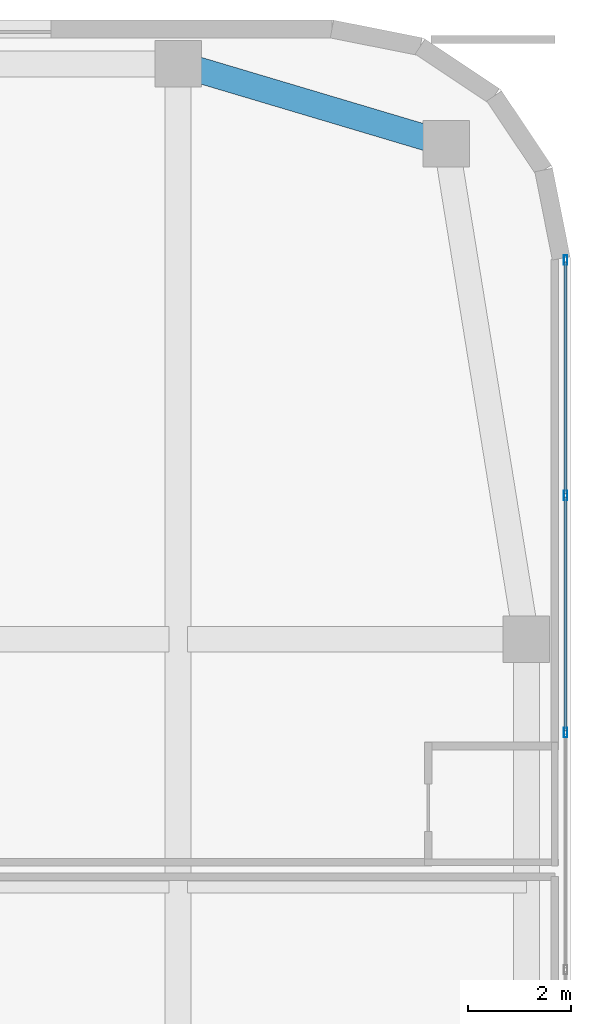
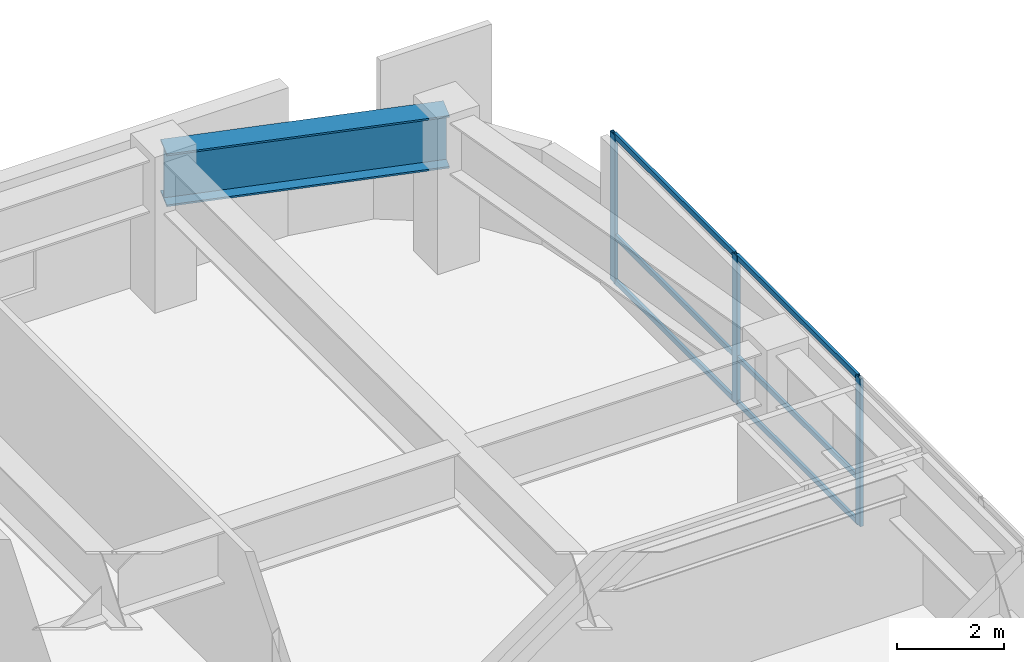
# One storey, part 14 of 25: 9 members, 1 beam, 1 element without a shape of its own.
"""IFC4 building model written with IfcOpenShell, lengths in metres."""

from ifc_helpers import new_model, si_unit, direction, frame, origin, origin_2d, place, context, subcontext, project, spatial, hollow_rectangle, i_section, extrude, source, transform, mapped, material, layer, layer_set, material_profile, profile_set, type_object, type_shapes, element, aggregate, save


model = new_model("IFC4")

# Units and contexts
model_context = context("Model", 3, precision=1e-05, world=origin(), true_north=direction((0.0, 1.0)))
body_context = subcontext(model_context, "Body", "Model", "MODEL_VIEW")
ifc_project = project(units=[si_unit("LENGTHUNIT", "METRE"), si_unit("AREAUNIT", "SQUARE_METRE"), si_unit("VOLUMEUNIT", "CUBIC_METRE"), si_unit("PLANEANGLEUNIT", "RADIAN"), si_unit("MASSUNIT", "GRAM", prefix="KILO")], contexts=[model_context])

# Site, building, storey
site_placement = place(None, origin())
site = spatial("IfcSite", under=ifc_project, at=site_placement, CompositionType="ELEMENT")
building_placement = place(site_placement, origin())
building = spatial("IfcBuilding", under=site, at=building_placement, Name="Tolvann Quenvar Hotel", CompositionType="ELEMENT")
storey_placement = place(building_placement, frame((0.0, 0.0, 78.14990234375)))
storey = spatial("IfcBuildingStorey", under=building, at=storey_placement, Name="L19", CompositionType="ELEMENT", Elevation=78.14990234375)

# Beam
ifc_material_1 = material(Name="Steel Grade 350", Category="steel")
ifc_material_profile_1 = material_profile(ifc_material_1, i_section(OverallWidth=0.5, OverallDepth=1.199951171875, WebThickness=0.01611328125, FlangeThickness=0.0400390625, at=origin_2d()), Name="1200WB455")
ifc_profile_set_1 = profile_set([ifc_material_profile_1], Name="Steel Grade 350")
beam_type = type_object("IfcBeamType", Name="BM_TG_1200WB455", PredefinedType="USERDEFINED", material=ifc_profile_set_1)
shared_shape_1 = source(origin(), body_context, "Body", "SweptSolid", [
    extrude(i_section(OverallWidth=0.5, OverallDepth=1.199951171875, WebThickness=0.01611328125, FlangeThickness=0.0400390625, at=origin_2d()), origin(), (0.0, 0.0, 1.0), 5.42626953125),
])
type_shapes(beam_type, [shared_shape_1])
beam_placement = place(storey_placement, frame((54.60009765625, 43.60009765625, 2.77001953125), z_axis=(-0.958344815522, 0.285613750654, 0.0), x_axis=(-0.285613750654, -0.958344815522, 0.0)))
element("IfcBeam", 1, at=beam_placement, inside=storey, type_object=beam_type, Name="BM-L19-FLK-E3", ObjectType="TRANSFER GIRDER", PredefinedType="USERDEFINED", context=body_context, shape_type="MappedRepresentation", body=[
    mapped(shared_shape_1, transform((0.0, 0.0, 0.0), x_axis=(1.0, 0.0, 0.0), y_axis=(0.0, 1.0, 0.0), z_axis=(0.0, 0.0, 1.0), scale=1.0)),
])

# Curtain wall, members
ifc_material_2 = material(Name="Thermally broken anodised architectural aluminium 6063-T6 and laminated low-E glass", Category="aluminium")
ifc_layer = layer(ifc_material_2, 0.179931640625)
ifc_layer_set = layer_set([ifc_layer], Name="Thermally broken anodised architectural aluminium 6063-T6 and laminated low-E glass")
curtain_wall_type = type_object("IfcCurtainWallType", Name="CW_SYS_BAND_04", PredefinedType="USERDEFINED", material=ifc_layer_set)
curtain_wall_placement = place(storey_placement, origin())
curtain_wall = element("IfcCurtainWall", 2, at=curtain_wall_placement, inside=storey, type_object=curtain_wall_type, Name="Curtain Wall CW-BAND-04 (CWR-L19-E13)", ObjectType="UNITISED CURTAIN WALL", PredefinedType="USERDEFINED")
ifc_material_3 = material(Name="Anodised architectural aluminium 6063-T6 framing", Category="aluminium")
ifc_material_profile_2 = material_profile(ifc_material_3, hollow_rectangle(XDim=0.070068359375, YDim=0.179931640625, WallThickness=0.00390625, at=origin_2d()), Name="180x70x4RHS")
ifc_profile_set_2 = profile_set([ifc_material_profile_2], Name="Anodised architectural aluminium 6063-T6 framing")
member_type_1 = type_object("IfcMemberType", Name="CW_MULL_180x70", PredefinedType="MULLION", material=ifc_profile_set_2)
shared_shape_2 = source(origin(), body_context, "Body", "SweptSolid", [
    extrude(hollow_rectangle(XDim=0.070068359375, YDim=0.179931640625, WallThickness=0.00390625, at=origin_2d()), origin(), (0.0, 0.0, 1.0), 3.3701171875),
])
type_shapes(member_type_1, [shared_shape_2])
member_1_placement = place(storey_placement, frame((56.909912109375, 32.19140625, 0.0), z_axis=(0.0, 0.0, 1.0), x_axis=(-1.0, 0.0, 0.0)))
member_1 = element("IfcMember", 3, at=member_1_placement, type_object=member_type_1, Name="CW-BAND-04 mullion 7", PredefinedType="MULLION", context=body_context, shape_type="MappedRepresentation", body=[
    mapped(shared_shape_2, transform((0.0, 0.0, 0.0), x_axis=(1.0, 0.0, 0.0), y_axis=(0.0, 1.0, 0.0), z_axis=(0.0, 0.0, 1.0), scale=1.0)),
])
member_2_placement = place(storey_placement, frame((56.909912109375, 36.787109375, 0.0), z_axis=(0.0, 0.0, 1.0), x_axis=(-1.0, 0.0, 0.0)))
member_2 = element("IfcMember", 4, at=member_2_placement, type_object=member_type_1, Name="CW-BAND-04 mullion 8", PredefinedType="MULLION", context=body_context, shape_type="MappedRepresentation", body=[
    mapped(shared_shape_2, transform((0.0, 0.0, 0.0), x_axis=(1.0, 0.0, 0.0), y_axis=(0.0, 1.0, 0.0), z_axis=(0.0, 0.0, 1.0), scale=1.0)),
])
member_3_placement = place(storey_placement, frame((56.909912109375, 41.347900390625, 0.0), z_axis=(0.0, 0.0, 1.0), x_axis=(-1.0, 0.0, 0.0)))
member_3 = element("IfcMember", 5, at=member_3_placement, type_object=member_type_1, Name="CW-BAND-04 mullion 9", PredefinedType="MULLION", context=body_context, shape_type="MappedRepresentation", body=[
    mapped(shared_shape_2, transform((0.0, 0.0, 0.0), x_axis=(1.0, 0.0, 0.0), y_axis=(0.0, 1.0, 0.0), z_axis=(0.0, 0.0, 1.0), scale=1.0)),
])
ifc_material_profile_3 = material_profile(ifc_material_3, hollow_rectangle(XDim=0.06005859375, YDim=0.1201171875, WallThickness=0.00341796875, at=origin_2d()), Name="120x60x3.5RHS")
ifc_profile_set_3 = profile_set([ifc_material_profile_3], Name="Anodised architectural aluminium 6063-T6 framing")
member_type_2 = type_object("IfcMemberType", Name="CW_TRAN_120x60", PredefinedType="USERDEFINED", material=ifc_profile_set_3)
shared_shape_3 = source(origin(), body_context, "Body", "SweptSolid", [
    extrude(hollow_rectangle(XDim=0.06005859375, YDim=0.1201171875, WallThickness=0.00341796875, at=origin_2d()), origin(), (0.0, 0.0, 1.0), 4.49072265625),
])
member_4_placement = place(storey_placement, frame((56.909912109375, 36.822021484375, 0.030029296875), z_axis=(0.0, 1.0, 0.0), x_axis=(-1.0, 0.0, 0.0)))
member_4 = element("IfcMember", 6, at=member_4_placement, type_object=member_type_2, Name="CW-BAND-04 transom 8.1", ObjectType="TRANSOM", PredefinedType="USERDEFINED", context=body_context, shape_type="MappedRepresentation", body=[
    mapped(shared_shape_3, transform((0.0, 0.0, 0.0), x_axis=(1.0, 0.0, 0.0), y_axis=(0.0, 1.0, 0.0), z_axis=(0.0, 0.0, 1.0), scale=1.0)),
])
member_5_placement = place(storey_placement, frame((56.909912109375, 36.822021484375, 1.050048828125), z_axis=(0.0, 1.0, 0.0), x_axis=(-1.0, 0.0, 0.0)))
member_5 = element("IfcMember", 7, at=member_5_placement, type_object=member_type_2, Name="CW-BAND-04 transom 8.2", ObjectType="TRANSOM", PredefinedType="USERDEFINED", context=body_context, shape_type="MappedRepresentation", body=[
    mapped(shared_shape_3, transform((0.0, 0.0, 0.0), x_axis=(1.0, 0.0, 0.0), y_axis=(0.0, 1.0, 0.0), z_axis=(0.0, 0.0, 1.0), scale=1.0)),
])
member_6_placement = place(storey_placement, frame((56.909912109375, 36.822021484375, 3.340087890625), z_axis=(0.0, 1.0, 0.0), x_axis=(-1.0, 0.0, 0.0)))
member_6 = element("IfcMember", 8, at=member_6_placement, type_object=member_type_2, Name="CW-BAND-04 transom 8.3", ObjectType="TRANSOM", PredefinedType="USERDEFINED", context=body_context, shape_type="MappedRepresentation", body=[
    mapped(shared_shape_3, transform((0.0, 0.0, 0.0), x_axis=(1.0, 0.0, 0.0), y_axis=(0.0, 1.0, 0.0), z_axis=(0.0, 0.0, 1.0), scale=1.0)),
])
shared_shape_4 = source(origin(), body_context, "Body", "SweptSolid", [
    extrude(hollow_rectangle(XDim=0.06005859375, YDim=0.1201171875, WallThickness=0.00341796875, at=origin_2d()), origin(), (0.0, 0.0, 1.0), 4.52587890625),
])
type_shapes(member_type_2, [shared_shape_3, shared_shape_4])
member_7_placement = place(storey_placement, frame((56.909912109375, 32.226318359375, 0.030029296875), z_axis=(0.0, 1.0, 0.0), x_axis=(-1.0, 0.0, 0.0)))
member_7 = element("IfcMember", 9, at=member_7_placement, type_object=member_type_2, Name="CW-BAND-04 transom 7.1", ObjectType="TRANSOM", PredefinedType="USERDEFINED", context=body_context, shape_type="MappedRepresentation", body=[
    mapped(shared_shape_4, transform((0.0, 0.0, 0.0), x_axis=(1.0, 0.0, 0.0), y_axis=(0.0, 1.0, 0.0), z_axis=(0.0, 0.0, 1.0), scale=1.0)),
])
member_8_placement = place(storey_placement, frame((56.909912109375, 32.226318359375, 1.050048828125), z_axis=(0.0, 1.0, 0.0), x_axis=(-1.0, 0.0, 0.0)))
member_8 = element("IfcMember", 10, at=member_8_placement, type_object=member_type_2, Name="CW-BAND-04 transom 7.2", ObjectType="TRANSOM", PredefinedType="USERDEFINED", context=body_context, shape_type="MappedRepresentation", body=[
    mapped(shared_shape_4, transform((0.0, 0.0, 0.0), x_axis=(1.0, 0.0, 0.0), y_axis=(0.0, 1.0, 0.0), z_axis=(0.0, 0.0, 1.0), scale=1.0)),
])
member_9_placement = place(storey_placement, frame((56.909912109375, 32.226318359375, 3.340087890625), z_axis=(0.0, 1.0, 0.0), x_axis=(-1.0, 0.0, 0.0)))
member_9 = element("IfcMember", 11, at=member_9_placement, type_object=member_type_2, Name="CW-BAND-04 transom 7.3", ObjectType="TRANSOM", PredefinedType="USERDEFINED", context=body_context, shape_type="MappedRepresentation", body=[
    mapped(shared_shape_4, transform((0.0, 0.0, 0.0), x_axis=(1.0, 0.0, 0.0), y_axis=(0.0, 1.0, 0.0), z_axis=(0.0, 0.0, 1.0), scale=1.0)),
])
aggregate(curtain_wall, [member_1, member_2, member_3, member_7, member_8, member_9, member_4, member_5, member_6])

save(model, "model.ifc")
